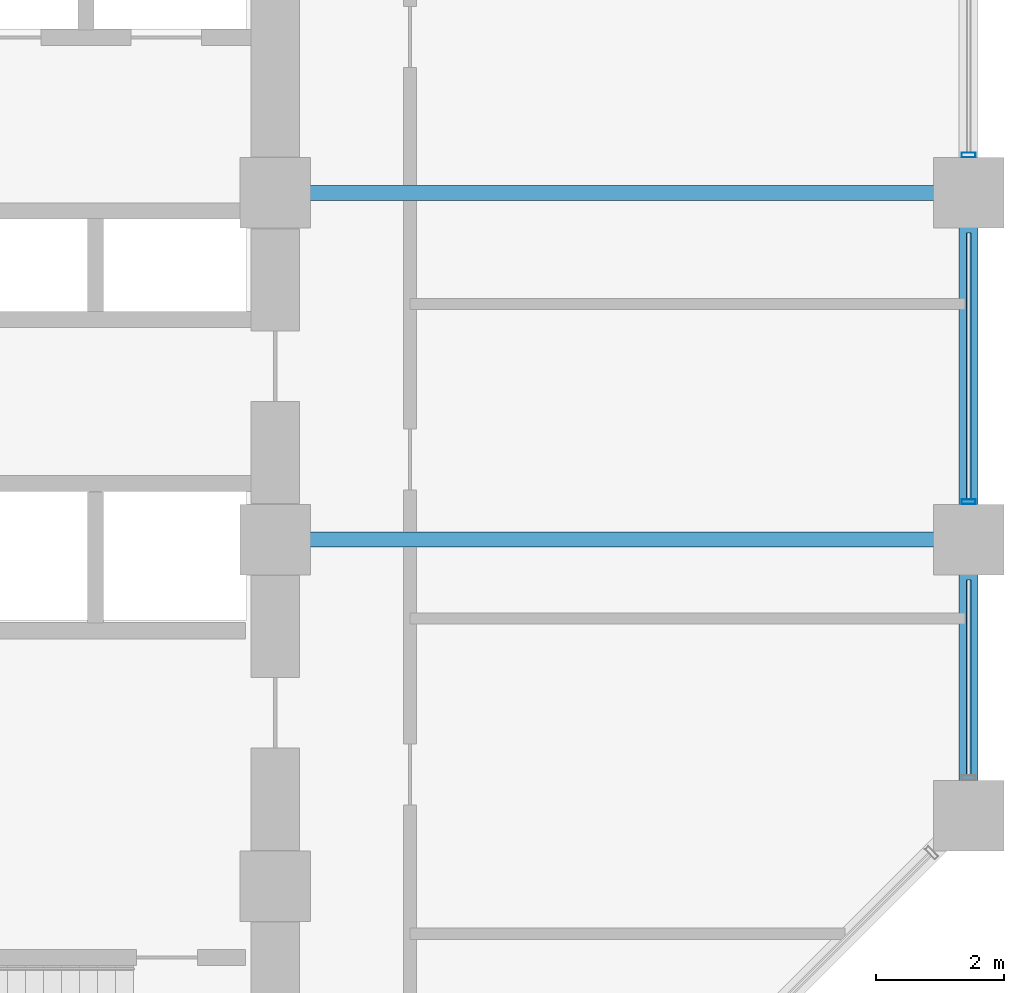
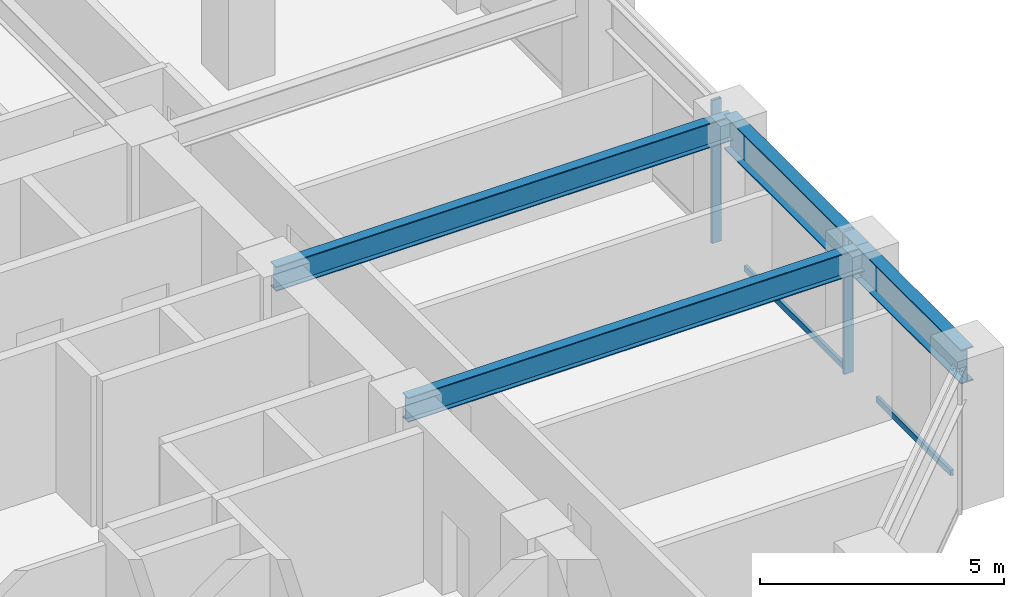
# One storey, part 9 of 25: 4 beams, 4 members, 1 element without a shape of its own.
"""IFC4 building model written with IfcOpenShell, lengths in metres."""

from ifc_helpers import new_model, si_unit, direction, frame, origin, origin_2d, place, context, subcontext, project, spatial, hollow_rectangle, i_section, extrude, material, layer, layer_set, material_profile, profile_set, type_object, element, aggregate, save


model = new_model("IFC4")

# Units and contexts
model_context = context("Model", 3, precision=1e-05, world=origin(), true_north=direction((0.0, 1.0)))
body_context = subcontext(model_context, "Body", "Model", "MODEL_VIEW")
ifc_project = project(units=[si_unit("LENGTHUNIT", "METRE"), si_unit("AREAUNIT", "SQUARE_METRE"), si_unit("VOLUMEUNIT", "CUBIC_METRE"), si_unit("PLANEANGLEUNIT", "RADIAN"), si_unit("MASSUNIT", "GRAM", prefix="KILO")], contexts=[model_context])

# Site, building, storey
site_placement = place(None, origin())
site = spatial("IfcSite", under=ifc_project, at=site_placement, CompositionType="ELEMENT")
building_placement = place(site_placement, origin())
building = spatial("IfcBuilding", under=site, at=building_placement, Name="Surkhivell Harbour Commons", CompositionType="ELEMENT")
storey_placement = place(building_placement, frame((0.0, 0.0, 113.25)))
storey = spatial("IfcBuildingStorey", under=building, at=storey_placement, Name="L29", CompositionType="ELEMENT", Elevation=113.25)

# Beams
ifc_material_1 = material(Name="Steel S355", Category="steel")
ifc_material_profile_1 = material_profile(ifc_material_1, i_section(OverallWidth=0.22998046875, OverallDepth=0.616943359375, WebThickness=0.01318359375, FlangeThickness=0.022216796875, at=origin_2d()), Name="UB610x229x140")
ifc_profile_set_1 = profile_set([ifc_material_profile_1], Name="Steel S355")
beam_type_1 = type_object("IfcBeamType", Name="BM-GRD-610B", PredefinedType="BEAM", material=ifc_profile_set_1)
for number, where, z_axis, x_axis, name in (
    (1, (10.800048828125, 0.0, 3.261474609375), (1.0, 0.0, 0.0), (0.0, 1.0, 0.0), "L29 Floor Girder (10.8,0.0)"),
    (2, (10.800048828125, 5.39990234375, 3.261474609375), (1.0, 0.0, 0.0), (0.0, 1.0, 0.0), "L29 Floor Girder (10.8,5.4)"),
):
    element("IfcBeam", number, at=place(storey_placement, frame(where, z_axis=z_axis, x_axis=x_axis)), inside=storey, type_object=beam_type_1, Name=name, PredefinedType="BEAM", context=body_context, shape_type="SweptSolid", body=[
        extrude(i_section(OverallWidth=0.22998046875, OverallDepth=0.616943359375, WebThickness=0.01318359375, FlangeThickness=0.022216796875, at=origin_2d()), origin(), (0.0, 0.0, 1.0), 10.800048828125),
    ])
ifc_material_2 = material(Name="Steel S460", Category="steel")
ifc_material_profile_2 = material_profile(ifc_material_2, i_section(OverallWidth=0.2939453125, OverallDepth=0.85107421875, WebThickness=0.01611328125, FlangeThickness=0.02685546875, at=origin_2d()), Name="UB838x292x226")
ifc_profile_set_2 = profile_set([ifc_material_profile_2], Name="Steel S460")
beam_type_2 = type_object("IfcBeamType", Name="BM-SPN-838", PredefinedType="SPANDREL", material=ifc_profile_set_2)
beam_1_placement = place(storey_placement, frame((21.60009765625, -4.300048828125, 3.14453125), z_axis=(0.0, 1.0, 0.0), x_axis=(-1.0, 0.0, 0.0)))
element("IfcBeam", 3, at=beam_1_placement, inside=storey, type_object=beam_type_2, Name="L29 Tube Spandrel (21.6,-4.3)", PredefinedType="SPANDREL", context=body_context, shape_type="SweptSolid", body=[
    extrude(i_section(OverallWidth=0.2939453125, OverallDepth=0.85107421875, WebThickness=0.01611328125, FlangeThickness=0.02685546875, at=origin_2d()), origin(), (0.0, 0.0, 1.0), 4.300048828125),
])
beam_2_placement = place(storey_placement, frame((21.60009765625, 0.0, 3.14453125), z_axis=(0.0, 1.0, 0.0), x_axis=(-1.0, 0.0, 0.0)))
element("IfcBeam", 4, at=beam_2_placement, inside=storey, type_object=beam_type_2, Name="L29 Tube Spandrel (21.6,0.0)", PredefinedType="SPANDREL", context=body_context, shape_type="SweptSolid", body=[
    extrude(i_section(OverallWidth=0.2939453125, OverallDepth=0.85107421875, WebThickness=0.01611328125, FlangeThickness=0.02685546875, at=origin_2d()), origin(), (0.0, 0.0, 1.0), 5.39990234375),
])

# Curtain wall, members
ifc_material_3 = material(Name="Anodised pale-metal aluminium and insulated glazing", Category="aluminium")
ifc_layer = layer(ifc_material_3, 0.205078125)
ifc_layer_set = layer_set([ifc_layer], Name="Anodised pale-metal aluminium and insulated glazing")
curtain_wall_type = type_object("IfcCurtainWallType", Name="CW-SYS-Z2", PredefinedType="NOTDEFINED", material=ifc_layer_set)
curtain_wall_placement = place(storey_placement, origin())
curtain_wall = element("IfcCurtainWall", 5, at=curtain_wall_placement, inside=storey, type_object=curtain_wall_type, Name="L29 Curtain Wall CW-L29-E02", PredefinedType="NOTDEFINED")
ifc_material_4 = material(Name="Anodised pale-metal aluminium alloy 6063-T6", Category="aluminium")
ifc_material_profile_3 = material_profile(ifc_material_4, hollow_rectangle(XDim=0.074951171875, YDim=0.219970703125, WallThickness=0.00390625, at=origin_2d()), Name="ALU-MULL-75x220")
ifc_profile_set_3 = profile_set([ifc_material_profile_3], Name="Anodised pale-metal aluminium alloy 6063-T6")
member_type_1 = type_object("IfcMemberType", Name="CWM-220", PredefinedType="MULLION", material=ifc_profile_set_3)
member_1_placement = place(storey_placement, frame((21.60009765625, 0.589599609375, 0.0), z_axis=(0.0, 0.0, 1.0), x_axis=(0.0, 1.0, 0.0)))
member_1 = element("IfcMember", 6, at=member_1_placement, type_object=member_type_1, Name="CW-Z2 mullion 2", PredefinedType="MULLION", context=body_context, shape_type="SweptSolid", body=[
    extrude(hollow_rectangle(XDim=0.074951171875, YDim=0.219970703125, WallThickness=0.00390625, at=origin_2d()), origin(), (0.0, 0.0, 1.0), 3.570068359375),
])
member_2_placement = place(storey_placement, frame((21.60009765625, 5.989501953125, 0.0), z_axis=(0.0, 0.0, 1.0), x_axis=(0.0, 1.0, 0.0)))
member_2 = element("IfcMember", 7, at=member_2_placement, type_object=member_type_1, Name="CW-Z2 mullion 3", PredefinedType="MULLION", context=body_context, shape_type="SweptSolid", body=[
    extrude(hollow_rectangle(XDim=0.074951171875, YDim=0.219970703125, WallThickness=0.00390625, at=origin_2d()), origin(), (0.0, 0.0, 1.0), 3.570068359375),
])
ifc_material_profile_4 = material_profile(ifc_material_4, hollow_rectangle(XDim=0.074951171875, YDim=0.14990234375, WallThickness=0.00341796875, at=origin_2d()), Name="ALU-TRAN-75x150")
ifc_profile_set_4 = profile_set([ifc_material_profile_4], Name="Anodised pale-metal aluminium alloy 6063-T6")
member_type_2 = type_object("IfcMemberType", Name="CWT-150", PredefinedType="USERDEFINED", material=ifc_profile_set_4)
member_3_placement = place(storey_placement, frame((21.60009765625, -3.673095703125, 0.074951171875), z_axis=(0.0, 1.0, 0.0), x_axis=(-1.0, 0.0, 0.0)))
member_3 = element("IfcMember", 8, at=member_3_placement, type_object=member_type_2, Name="CW-Z2 transom 1.1", ObjectType="TRANSOM", PredefinedType="USERDEFINED", context=body_context, shape_type="SweptSolid", body=[
    extrude(hollow_rectangle(XDim=0.074951171875, YDim=0.14990234375, WallThickness=0.00341796875, at=origin_2d()), origin(), (0.0, 0.0, 1.0), 3.046142578125),
])
member_4_placement = place(storey_placement, frame((21.60009765625, 0.626953125, 0.074951171875), z_axis=(0.0, 1.0, 0.0), x_axis=(-1.0, 0.0, 0.0)))
member_4 = element("IfcMember", 9, at=member_4_placement, type_object=member_type_2, Name="CW-Z2 transom 2.1", ObjectType="TRANSOM", PredefinedType="USERDEFINED", context=body_context, shape_type="SweptSolid", body=[
    extrude(hollow_rectangle(XDim=0.074951171875, YDim=0.14990234375, WallThickness=0.00341796875, at=origin_2d()), origin(), (0.0, 0.0, 1.0), 4.14599609375),
])
aggregate(curtain_wall, [member_3, member_1, member_4, member_2])

save(model, "model.ifc")
